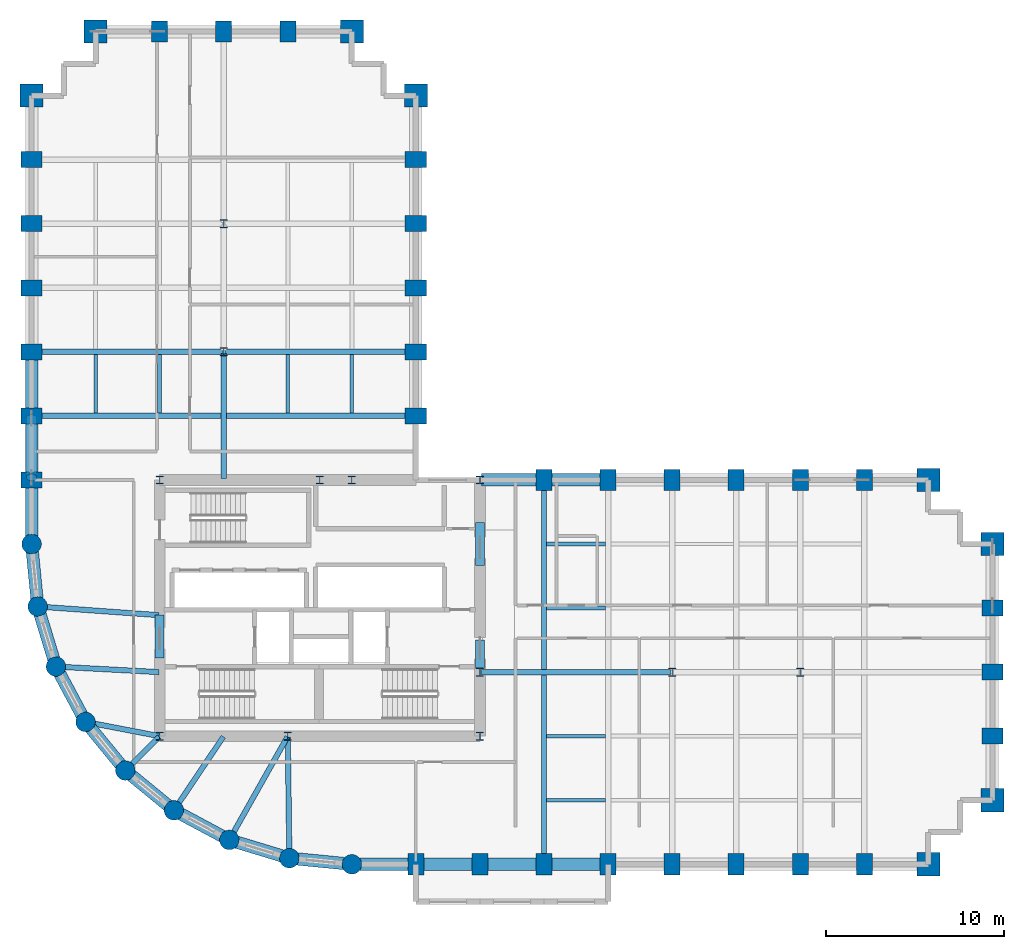
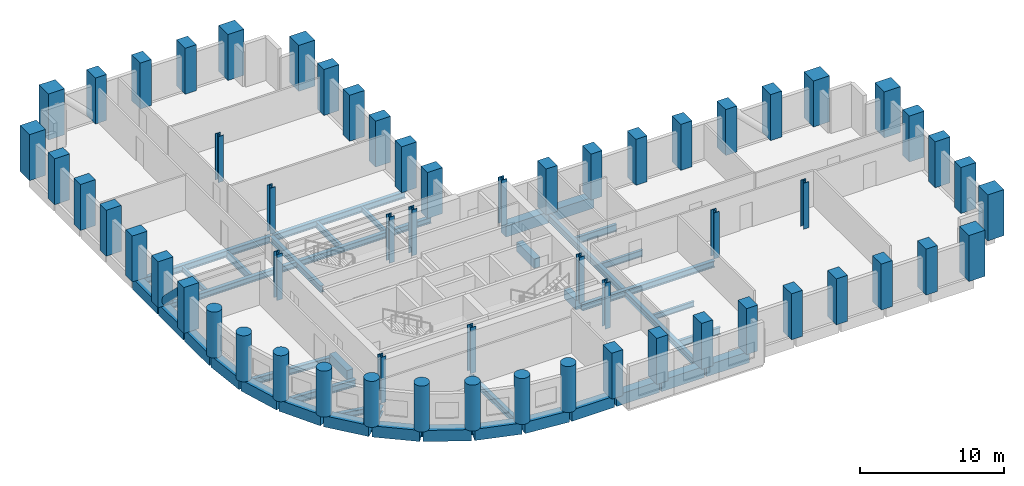
# One storey, part 1 of 9: 60 columns, 41 beams, 1 member.
"""IFC4 building model written with IfcOpenShell, lengths in metres."""

from ifc_helpers import new_model, si_unit, direction, frame, origin, origin_2d, place, context, subcontext, project, spatial, rectangle, circle, hollow_circle, i_section, extrude, material, material_profile, profile_set, type_object, element, save


model = new_model("IFC4")

# Units and contexts
model_context = context("Model", 3, precision=1e-05, world=origin(), true_north=direction((0.0, 1.0)))
body_context = subcontext(model_context, "Body", "Model", "MODEL_VIEW")
ifc_project = project(units=[si_unit("LENGTHUNIT", "METRE"), si_unit("AREAUNIT", "SQUARE_METRE"), si_unit("VOLUMEUNIT", "CUBIC_METRE"), si_unit("PLANEANGLEUNIT", "RADIAN"), si_unit("MASSUNIT", "GRAM", prefix="KILO")], contexts=[model_context])

# Site, building, storey
site_placement = place(None, origin())
site = spatial("IfcSite", under=ifc_project, at=site_placement, CompositionType="ELEMENT")
building_placement = place(site_placement, origin())
building = spatial("IfcBuilding", under=site, at=building_placement, Name="Solnavia Interchange Tower", CompositionType="ELEMENT")
storey_placement = place(building_placement, frame((0.0, 0.0, 59.10009765625)))
storey = spatial("IfcBuildingStorey", under=building, at=storey_placement, Name="L14", CompositionType="ELEMENT", Elevation=59.10009765625)

# Columns
ifc_material_1 = material(Name="Concrete C60/75", Category="concrete")
ifc_material_profile_1 = material_profile(ifc_material_1, rectangle(XDim=0.89990234375, YDim=1.199951171875, at=origin_2d()), Name="RC 1200x900")
ifc_profile_set_1 = profile_set([ifc_material_profile_1], Name="Concrete C60/75")
column_type_1 = type_object("IfcColumnType", Name="Col-RC-1200x900", PredefinedType="COLUMN", material=ifc_profile_set_1)
for number, where, z_axis, x_axis, name in (
    (1, (7.199951171875, 25.199951171875, 0.0), (0.0, 0.0, 1.0), (0.0, 1.0, 0.0), "COL-L14-02 Tower perim y column"),
    (2, (7.199951171875, 28.800048828125, 0.0), (0.0, 0.0, 1.0), (0.0, 1.0, 0.0), "COL-L14-03 Tower perim y column"),
    (3, (7.199951171875, 32.39990234375, 0.0), (0.0, 0.0, 1.0), (0.0, 1.0, 0.0), "COL-L14-04 Tower perim y column"),
    (4, (7.199951171875, 36.0, 0.0), (0.0, 0.0, 1.0), (0.0, 1.0, 0.0), "COL-L14-05 Tower perim y column"),
    (5, (7.199951171875, 39.60009765625, 0.0), (0.0, 0.0, 1.0), (0.0, 1.0, 0.0), "COL-L14-06 Tower perim y column"),
    (6, (7.199951171875, 43.199951171875, 0.0), (0.0, 0.0, 1.0), (0.0, 1.0, 0.0), "COL-L14-07 Tower perim y column"),
    (7, (14.39990234375, 50.39990234375, 0.0), (0.0, 0.0, 1.0), (1.0, 0.0, 0.0), "COL-L14-16 Tower perim x column"),
    (8, (18.0, 50.39990234375, 0.0), (0.0, 0.0, 1.0), (1.0, 0.0, 0.0), "COL-L14-20 Tower perim x column"),
    (9, (21.60009765625, 50.39990234375, 0.0), (0.0, 0.0, 1.0), (1.0, 0.0, 0.0), "COL-L14-23 Tower perim x column"),
    (10, (28.800048828125, 3.60009765625, 0.0), (0.0, 0.0, 1.0), (1.0, 0.0, 0.0), "COL-L14-29 Tower perim x column"),
    (11, (28.800048828125, 28.800048828125, 0.0), (0.0, 0.0, 1.0), (0.0, 1.0, 0.0), "COL-L14-30 Tower perim y column"),
    (12, (28.800048828125, 32.39990234375, 0.0), (0.0, 0.0, 1.0), (0.0, 1.0, 0.0), "COL-L14-31 Tower perim y column"),
    (13, (28.800048828125, 36.0, 0.0), (0.0, 0.0, 1.0), (0.0, 1.0, 0.0), "COL-L14-32 Tower perim y column"),
    (14, (28.800048828125, 39.60009765625, 0.0), (0.0, 0.0, 1.0), (0.0, 1.0, 0.0), "COL-L14-33 Tower perim y column"),
    (15, (28.800048828125, 43.199951171875, 0.0), (0.0, 0.0, 1.0), (0.0, 1.0, 0.0), "COL-L14-34 Tower perim y column"),
    (16, (32.39990234375, 3.60009765625, 0.0), (0.0, 0.0, 1.0), (1.0, 0.0, 0.0), "COL-L14-36 Tower perim x column"),
    (17, (36.0, 3.60009765625, 0.0), (0.0, 0.0, 1.0), (1.0, 0.0, 0.0), "COL-L14-40 Tower perim x column"),
    (18, (36.0, 25.199951171875, 0.0), (0.0, 0.0, 1.0), (1.0, 0.0, 0.0), "COL-L14-41 Tower perim x column"),
    (19, (39.60009765625, 3.60009765625, 0.0), (0.0, 0.0, 1.0), (1.0, 0.0, 0.0), "COL-L14-42 Tower perim x column"),
    (20, (39.60009765625, 25.199951171875, 0.0), (0.0, 0.0, 1.0), (1.0, 0.0, 0.0), "COL-L14-43 Tower perim x column"),
    (21, (43.199951171875, 3.60009765625, 0.0), (0.0, 0.0, 1.0), (1.0, 0.0, 0.0), "COL-L14-44 Tower perim x column"),
    (22, (43.199951171875, 25.199951171875, 0.0), (0.0, 0.0, 1.0), (1.0, 0.0, 0.0), "COL-L14-46 Tower perim x column"),
    (23, (46.800048828125, 3.60009765625, 0.0), (0.0, 0.0, 1.0), (1.0, 0.0, 0.0), "COL-L14-47 Tower perim x column"),
    (24, (46.800048828125, 25.199951171875, 0.0), (0.0, 0.0, 1.0), (1.0, 0.0, 0.0), "COL-L14-48 Tower perim x column"),
    (25, (50.39990234375, 3.60009765625, 0.0), (0.0, 0.0, 1.0), (1.0, 0.0, 0.0), "COL-L14-49 Tower perim x column"),
    (26, (50.39990234375, 25.199951171875, 0.0), (0.0, 0.0, 1.0), (1.0, 0.0, 0.0), "COL-L14-51 Tower perim x column"),
    (27, (54.0, 3.60009765625, 0.0), (0.0, 0.0, 1.0), (1.0, 0.0, 0.0), "COL-L14-52 Tower perim x column"),
    (28, (54.0, 25.199951171875, 0.0), (0.0, 0.0, 1.0), (1.0, 0.0, 0.0), "COL-L14-53 Tower perim x column"),
    (29, (61.199951171875, 10.800048828125, 0.0), (0.0, 0.0, 1.0), (0.0, 1.0, 0.0), "COL-L14-57 Tower perim y column"),
    (30, (61.199951171875, 14.39990234375, 0.0), (0.0, 0.0, 1.0), (0.0, 1.0, 0.0), "COL-L14-58 Tower perim y column"),
    (31, (61.199951171875, 18.0, 0.0), (0.0, 0.0, 1.0), (0.0, 1.0, 0.0), "COL-L14-59 Tower perim y column"),
):
    element("IfcColumn", number, at=place(storey_placement, frame(where, z_axis=z_axis, x_axis=x_axis)), inside=storey, type_object=column_type_1, Name=name, PredefinedType="COLUMN", context=body_context, shape_type="SweptSolid", body=[
        extrude(rectangle(XDim=0.89990234375, YDim=1.199951171875, at=origin_2d()), origin(), (0.0, 0.0, 1.0), 3.89990234375),
    ])
ifc_material_profile_2 = material_profile(ifc_material_1, rectangle(XDim=1.300048828125, YDim=1.300048828125, at=origin_2d()), Name="RC 1300x1300")
ifc_profile_set_2 = profile_set([ifc_material_profile_2], Name="Concrete C60/75")
column_type_2 = type_object("IfcColumnType", Name="Col-RC-1300x1300", PredefinedType="COLUMN", material=ifc_profile_set_2)
for number, where, z_axis, x_axis, name in (
    (32, (7.199951171875, 46.800048828125, 0.0), (0.0, 0.0, 1.0), (0.0, 1.0, 0.0), "COL-L14-08 Tower corner column"),
    (33, (10.800048828125, 50.39990234375, 0.0), (0.0, 0.0, 1.0), (1.0, 0.0, 0.0), "COL-L14-12 Tower corner column"),
    (34, (25.199951171875, 50.39990234375, 0.0), (0.0, 0.0, 1.0), (1.0, 0.0, 0.0), "COL-L14-28 Tower corner column"),
    (35, (28.800048828125, 46.800048828125, 0.0), (0.0, 0.0, 1.0), (0.0, 1.0, 0.0), "COL-L14-35 Tower corner column"),
    (36, (57.60009765625, 3.60009765625, 0.0), (0.0, 0.0, 1.0), (1.0, 0.0, 0.0), "COL-L14-54 Tower corner column"),
    (37, (57.60009765625, 25.199951171875, 0.0), (0.0, 0.0, 1.0), (1.0, 0.0, 0.0), "COL-L14-55 Tower corner column"),
    (38, (61.199951171875, 7.199951171875, 0.0), (0.0, 0.0, 1.0), (1.0, 0.0, 0.0), "COL-L14-56 Tower corner column"),
    (39, (61.199951171875, 21.60009765625, 0.0), (0.0, 0.0, 1.0), (0.0, 1.0, 0.0), "COL-L14-60 Tower corner column"),
):
    element("IfcColumn", number, at=place(storey_placement, frame(where, z_axis=z_axis, x_axis=x_axis)), inside=storey, type_object=column_type_2, Name=name, PredefinedType="COLUMN", context=body_context, shape_type="SweptSolid", body=[
        extrude(rectangle(XDim=1.300048828125, YDim=1.300048828125, at=origin_2d()), origin(), (0.0, 0.0, 1.0), 3.89990234375),
    ])
ifc_material_profile_3 = material_profile(ifc_material_1, circle(Radius=0.550048828125, at=origin_2d()), Name="RC D1100")
ifc_profile_set_3 = profile_set([ifc_material_profile_3], Name="Concrete C60/75")
column_type_3 = type_object("IfcColumnType", Name="Col-RC-D1100", PredefinedType="COLUMN", material=ifc_profile_set_3)
for number, where, z_axis, x_axis, name in (
    (40, (7.199951171875, 21.60009765625, 0.0), (0.0, 0.0, 1.0), (1.0, 0.0, 0.0), "COL-L14-01 Tower drum column"),
    (41, (7.5458984375, 18.087890625, 0.0), (0.0, 0.0, 1.0), (1.0, 0.0, 0.0), "COL-L14-09 Tower drum column"),
    (42, (8.570068359375, 14.7119140625, 0.0), (0.0, 0.0, 1.0), (1.0, 0.0, 0.0), "COL-L14-10 Tower drum column"),
    (43, (10.23388671875, 11.60009765625, 0.0), (0.0, 0.0, 1.0), (1.0, 0.0, 0.0), "COL-L14-11 Tower drum column"),
    (44, (12.471923828125, 8.8720703125, 0.0), (0.0, 0.0, 1.0), (1.0, 0.0, 0.0), "COL-L14-13 Tower drum column"),
    (45, (15.199951171875, 6.634033203125, 0.0), (0.0, 0.0, 1.0), (1.0, 0.0, 0.0), "COL-L14-17 Tower drum column"),
    (46, (18.31201171875, 4.969970703125, 0.0), (0.0, 0.0, 1.0), (1.0, 0.0, 0.0), "COL-L14-21 Tower drum column"),
    (47, (21.68798828125, 3.946044921875, 0.0), (0.0, 0.0, 1.0), (1.0, 0.0, 0.0), "COL-L14-24 Tower drum column"),
    (48, (25.199951171875, 3.60009765625, 0.0), (0.0, 0.0, 1.0), (1.0, 0.0, 0.0), "COL-L14-26 Tower drum column"),
):
    element("IfcColumn", number, at=place(storey_placement, frame(where, z_axis=z_axis, x_axis=x_axis)), inside=storey, type_object=column_type_3, Name=name, PredefinedType="COLUMN", context=body_context, shape_type="SweptSolid", body=[
        extrude(circle(Radius=0.550048828125, at=origin_2d()), origin(), (0.0, 0.0, 1.0), 3.89990234375),
    ])
ifc_material_2 = material(Name="Steel S355", Category="steel")
ifc_material_profile_4 = material_profile(ifc_material_2, i_section(OverallWidth=0.424072265625, OverallDepth=0.467041015625, WebThickness=0.032958984375, FlangeThickness=0.053466796875, FilletRadius=0.014892578125, at=origin_2d()), Name="HD 400x509")
ifc_profile_set_4 = profile_set([ifc_material_profile_4], Name="Steel S355")
column_type_4 = type_object("IfcColumnType", Name="Col-Steel-HD400x509", PredefinedType="COLUMN", material=ifc_profile_set_4)
for number, where, z_axis, x_axis, name in (
    (49, (14.39990234375, 10.800048828125, 0.0), (0.0, 0.0, 1.0), (1.0, 0.0, 0.0), "COL-L14-14 Tower interior column"),
    (50, (14.39990234375, 25.199951171875, 0.0), (0.0, 0.0, 1.0), (1.0, 0.0, 0.0), "COL-L14-15 Tower interior column"),
    (51, (18.0, 32.39990234375, 0.0), (0.0, 0.0, 1.0), (1.0, 0.0, 0.0), "COL-L14-18 Tower interior column"),
    (52, (18.0, 39.60009765625, 0.0), (0.0, 0.0, 1.0), (1.0, 0.0, 0.0), "COL-L14-19 Tower interior column"),
    (53, (21.60009765625, 10.800048828125, 0.0), (0.0, 0.0, 1.0), (1.0, 0.0, 0.0), "COL-L14-22 Tower interior column"),
    (54, (23.39990234375, 25.199951171875, 0.0), (0.0, 0.0, 1.0), (1.0, 0.0, 0.0), "COL-L14-25 Tower interior column"),
    (55, (25.199951171875, 25.199951171875, 0.0), (0.0, 0.0, 1.0), (1.0, 0.0, 0.0), "COL-L14-27 Tower interior column"),
    (56, (32.39990234375, 10.800048828125, 0.0), (0.0, 0.0, 1.0), (1.0, 0.0, 0.0), "COL-L14-37 Tower interior column"),
    (57, (32.39990234375, 14.39990234375, 0.0), (0.0, 0.0, 1.0), (1.0, 0.0, 0.0), "COL-L14-38 Tower interior column"),
    (58, (32.39990234375, 25.199951171875, 0.0), (0.0, 0.0, 1.0), (1.0, 0.0, 0.0), "COL-L14-39 Tower interior column"),
    (59, (43.199951171875, 14.39990234375, 0.0), (0.0, 0.0, 1.0), (1.0, 0.0, 0.0), "COL-L14-45 Tower interior column"),
    (60, (50.39990234375, 14.39990234375, 0.0), (0.0, 0.0, 1.0), (1.0, 0.0, 0.0), "COL-L14-50 Tower interior column"),
):
    element("IfcColumn", number, at=place(storey_placement, frame(where, z_axis=z_axis, x_axis=x_axis)), inside=storey, type_object=column_type_4, Name=name, PredefinedType="COLUMN", context=body_context, shape_type="SweptSolid", body=[
        extrude(i_section(OverallWidth=0.424072265625, OverallDepth=0.467041015625, WebThickness=0.032958984375, FlangeThickness=0.053466796875, FilletRadius=0.014892578125, at=origin_2d()), origin(), (0.0, 0.0, 1.0), 3.89990234375),
    ])

# Beams
ifc_material_3 = material(Name="Concrete C50/60", Category="concrete")
ifc_material_profile_5 = material_profile(ifc_material_3, rectangle(XDim=0.5, YDim=0.800048828125, at=origin_2d()), Name="RC 500x800")
ifc_profile_set_5 = profile_set([ifc_material_profile_5], Name="Concrete C50/60")
beam_type_1 = type_object("IfcBeamType", Name="Beam-Coupling-RC500x800", PredefinedType="LINTEL", material=ifc_profile_set_5)
beam_1_placement = place(storey_placement, frame((14.39990234375, 15.199951171875, -0.400146484375), z_axis=(0.0, 1.0, 0.0), x_axis=(-1.0, 0.0, 0.0)))
element("IfcBeam", 61, at=beam_1_placement, inside=storey, type_object=beam_type_1, Name="CPB-L14-W1 Core coupling lintel beam", PredefinedType="LINTEL", context=body_context, shape_type="SweptSolid", body=[
    extrude(rectangle(XDim=0.5, YDim=0.800048828125, at=origin_2d()), origin(), (0.0, 0.0, 1.0), 2.400146484375),
])
beam_2_placement = place(storey_placement, frame((32.39990234375, 14.60009765625, -0.400146484375), z_axis=(0.0, 1.0, 0.0), x_axis=(-1.0, 0.0, 0.0)))
element("IfcBeam", 62, at=beam_2_placement, inside=storey, type_object=beam_type_1, Name="CPB-L14-E1 Core coupling lintel beam", PredefinedType="LINTEL", context=body_context, shape_type="SweptSolid", body=[
    extrude(rectangle(XDim=0.5, YDim=0.800048828125, at=origin_2d()), origin(), (0.0, 0.0, 1.0), 1.599853515625),
])
beam_3_placement = place(storey_placement, frame((32.39990234375, 20.39990234375, -0.400146484375), z_axis=(0.0, 1.0, 0.0), x_axis=(-1.0, 0.0, 0.0)))
element("IfcBeam", 63, at=beam_3_placement, inside=storey, type_object=beam_type_1, Name="CPB-L14-E2 Core coupling lintel beam", PredefinedType="LINTEL", context=body_context, shape_type="SweptSolid", body=[
    extrude(rectangle(XDim=0.5, YDim=0.800048828125, at=origin_2d()), origin(), (0.0, 0.0, 1.0), 2.400146484375),
])
ifc_material_4 = material(Name="Steel S460", Category="steel")
ifc_material_profile_6 = material_profile(ifc_material_4, i_section(OverallWidth=0.300048828125, OverallDepth=0.550048828125, WebThickness=0.014892578125, FlangeThickness=0.029052734375, FilletRadius=0.027099609375, at=origin_2d()), Name="HEB 550")
ifc_profile_set_6 = profile_set([ifc_material_profile_6], Name="Steel S460")
beam_type_2 = type_object("IfcBeamType", Name="Beam-Girder-HEB550", PredefinedType="BEAM", material=ifc_profile_set_6)
beam_4_placement = place(storey_placement, frame((32.47998046875, 14.39990234375, -0.525146484375), z_axis=(1.0, 0.0, 0.0), x_axis=(0.0, 1.0, 0.0)))
element("IfcBeam", 64, at=beam_4_placement, inside=storey, type_object=beam_type_2, Name="GRD-L14-ES01 East wing spine girder", PredefinedType="BEAM", context=body_context, shape_type="SweptSolid", body=[
    extrude(i_section(OverallWidth=0.300048828125, OverallDepth=0.550048828125, WebThickness=0.014892578125, FlangeThickness=0.029052734375, FilletRadius=0.027099609375, at=origin_2d()), origin(), (0.0, 0.0, 1.0), 10.64013671875),
])
beam_5_placement = place(storey_placement, frame((36.0, 3.679931640625, -0.525146484375), z_axis=(0.0, 1.0, 0.0), x_axis=(-1.0, 0.0, 0.0)))
element("IfcBeam", 65, at=beam_5_placement, inside=storey, type_object=beam_type_2, Name="GRD-L14-EW04 East wing primary floor girder", PredefinedType="BEAM", context=body_context, shape_type="SweptSolid", body=[
    extrude(i_section(OverallWidth=0.300048828125, OverallDepth=0.550048828125, WebThickness=0.014892578125, FlangeThickness=0.029052734375, FilletRadius=0.027099609375, at=origin_2d()), origin(), (0.0, 0.0, 1.0), 21.440185546875),
])
beam_6_placement = place(storey_placement, frame((18.0, 25.280029296875, -0.525146484375), z_axis=(0.0, 1.0, 0.0), x_axis=(-1.0, 0.0, 0.0)))
element("IfcBeam", 66, at=beam_6_placement, inside=storey, type_object=beam_type_2, Name="GRD-L14-NS12 North wing spine girder", PredefinedType="BEAM", context=body_context, shape_type="SweptSolid", body=[
    extrude(i_section(OverallWidth=0.300048828125, OverallDepth=0.550048828125, WebThickness=0.014892578125, FlangeThickness=0.029052734375, FilletRadius=0.027099609375, at=origin_2d()), origin(), (0.0, 0.0, 1.0), 7.0400390625),
])
for number, where, z_axis, x_axis, name in (
    (67, (7.280029296875, 32.39990234375, -0.525146484375), (1.0, 0.0, 0.0), (0.0, 1.0, 0.0), "GRD-L14-NW16 North wing primary floor girder"),
    (68, (18.080078125, 32.39990234375, -0.525146484375), (1.0, 0.0, 0.0), (0.0, 1.0, 0.0), "GRD-L14-NW17 North wing primary floor girder"),
):
    element("IfcBeam", number, at=place(storey_placement, frame(where, z_axis=z_axis, x_axis=x_axis)), inside=storey, type_object=beam_type_2, Name=name, PredefinedType="BEAM", context=body_context, shape_type="SweptSolid", body=[
        extrude(i_section(OverallWidth=0.300048828125, OverallDepth=0.550048828125, WebThickness=0.014892578125, FlangeThickness=0.029052734375, FilletRadius=0.027099609375, at=origin_2d()), origin(), (0.0, 0.0, 1.0), 10.639892578125),
    ])
beam_7_placement = place(storey_placement, frame((7.625732421875, 18.082275390625, -0.525146484375), z_axis=(0.99747482749, -0.071020902015, 0.0), x_axis=(0.071020902015, 0.99747482749, 0.0)))
element("IfcBeam", 69, at=beam_7_placement, inside=storey, type_object=beam_type_2, Name="GRD-L14-DR22 Drum radial floor girder", PredefinedType="BEAM", context=body_context, shape_type="SweptSolid", body=[
    extrude(i_section(OverallWidth=0.300048828125, OverallDepth=0.550048828125, WebThickness=0.014892578125, FlangeThickness=0.029052734375, FilletRadius=0.027099609375, at=origin_2d()), origin(), (0.0, 0.0, 1.0), 6.75146484375),
])
beam_8_placement = place(storey_placement, frame((12.528564453125, 8.9287109375, -0.525146484375), z_axis=(0.707106781187, 0.707106781187, 0.0), x_axis=(-0.707106781187, 0.707106781187, 0.0)))
element("IfcBeam", 70, at=beam_8_placement, inside=storey, type_object=beam_type_2, Name="GRD-L14-DR25 Drum radial floor girder", PredefinedType="BEAM", context=body_context, shape_type="SweptSolid", body=[
    extrude(i_section(OverallWidth=0.300048828125, OverallDepth=0.550048828125, WebThickness=0.014892578125, FlangeThickness=0.029052734375, FilletRadius=0.027099609375, at=origin_2d()), origin(), (0.0, 0.0, 1.0), 2.6064453125),
])
beam_9_placement = place(storey_placement, frame((21.68701171875, 4.02587890625, -0.525146484375), z_axis=(-0.01283293513, 0.999917654498, 0.0), x_axis=(-0.999917654498, -0.01283293513, 0.0)))
element("IfcBeam", 71, at=beam_9_placement, inside=storey, type_object=beam_type_2, Name="GRD-L14-DR28 Drum radial floor girder", PredefinedType="BEAM", context=body_context, shape_type="SweptSolid", body=[
    extrude(i_section(OverallWidth=0.300048828125, OverallDepth=0.550048828125, WebThickness=0.014892578125, FlangeThickness=0.029052734375, FilletRadius=0.027099609375, at=origin_2d()), origin(), (0.0, 0.0, 1.0), 6.734619140625),
])
ifc_material_profile_7 = material_profile(ifc_material_2, i_section(OverallWidth=0.18994140625, OverallDepth=0.449951171875, WebThickness=0.009521484375, FlangeThickness=0.0146484375, FilletRadius=0.02099609375, at=origin_2d()), Name="IPE 450")
ifc_profile_set_7 = profile_set([ifc_material_profile_7], Name="Steel S355")
beam_type_3 = type_object("IfcBeamType", Name="Beam-Joist-IPE450", PredefinedType="JOIST", material=ifc_profile_set_7)
for number, where, z_axis, x_axis, name in (
    (72, (36.14990234375, 10.800048828125, -0.47509765625), (1.0, 0.0, 0.0), (0.0, 1.0, 0.0), "JST-L14-E06 East wing secondary joist"),
    (73, (10.800048828125, 28.949951171875, -0.47509765625), (0.0, 1.0, 0.0), (-1.0, 0.0, 0.0), "JST-L14-N21 North wing secondary joist"),
    (74, (25.199951171875, 28.949951171875, -0.47509765625), (0.0, 1.0, 0.0), (-1.0, 0.0, 0.0), "JST-L14-N33 North wing secondary joist"),
):
    element("IfcBeam", number, at=place(storey_placement, frame(where, z_axis=z_axis, x_axis=x_axis)), inside=storey, type_object=beam_type_3, Name=name, PredefinedType="JOIST", context=body_context, shape_type="SweptSolid", body=[
        extrude(i_section(OverallWidth=0.18994140625, OverallDepth=0.449951171875, WebThickness=0.009521484375, FlangeThickness=0.0146484375, FilletRadius=0.02099609375, at=origin_2d()), origin(), (0.0, 0.0, 1.0), 3.300048828125),
    ])
ifc_material_profile_8 = material_profile(ifc_material_2, i_section(OverallWidth=0.2099609375, OverallDepth=0.550048828125, WebThickness=0.010986328125, FlangeThickness=0.01708984375, FilletRadius=0.02392578125, at=origin_2d()), Name="IPE 550")
ifc_profile_set_8 = profile_set([ifc_material_profile_8], Name="Steel S355")
beam_type_4 = type_object("IfcBeamType", Name="Beam-Joist-IPE550", PredefinedType="JOIST", material=ifc_profile_set_8)
for number, where, z_axis, x_axis, name in (
    (75, (36.14990234375, 18.0, -0.525146484375), (1.0, 0.0, 0.0), (0.0, 1.0, 0.0), "JST-L14-E11 East wing secondary joist"),
    (76, (21.60009765625, 28.949951171875, -0.525146484375), (0.0, 1.0, 0.0), (-1.0, 0.0, 0.0), "JST-L14-N29 North wing secondary joist"),
):
    element("IfcBeam", number, at=place(storey_placement, frame(where, z_axis=z_axis, x_axis=x_axis)), inside=storey, type_object=beam_type_4, Name=name, PredefinedType="JOIST", context=body_context, shape_type="SweptSolid", body=[
        extrude(i_section(OverallWidth=0.2099609375, OverallDepth=0.550048828125, WebThickness=0.010986328125, FlangeThickness=0.01708984375, FilletRadius=0.02392578125, at=origin_2d()), origin(), (0.0, 0.0, 1.0), 3.300048828125),
    ])
ifc_material_profile_9 = material_profile(ifc_material_2, i_section(OverallWidth=0.219970703125, OverallDepth=0.60009765625, WebThickness=0.011962890625, FlangeThickness=0.01904296875, FilletRadius=0.02392578125, at=origin_2d()), Name="IPE 600")
ifc_profile_set_9 = profile_set([ifc_material_profile_9], Name="Steel S355")
beam_type_5 = type_object("IfcBeamType", Name="Beam-Joist-IPE600", PredefinedType="JOIST", material=ifc_profile_set_9)
for number, where, z_axis, x_axis, name in (
    (77, (36.14990234375, 7.199951171875, -0.550048828125), (1.0, 0.0, 0.0), (0.0, 1.0, 0.0), "JST-L14-E01 East wing secondary joist"),
    (78, (36.14990234375, 21.60009765625, -0.550048828125), (1.0, 0.0, 0.0), (0.0, 1.0, 0.0), "JST-L14-E16 East wing secondary joist"),
    (79, (14.39990234375, 28.949951171875, -0.550048828125), (0.0, 1.0, 0.0), (-1.0, 0.0, 0.0), "JST-L14-N25 North wing secondary joist"),
):
    element("IfcBeam", number, at=place(storey_placement, frame(where, z_axis=z_axis, x_axis=x_axis)), inside=storey, type_object=beam_type_5, Name=name, PredefinedType="JOIST", context=body_context, shape_type="SweptSolid", body=[
        extrude(i_section(OverallWidth=0.219970703125, OverallDepth=0.60009765625, WebThickness=0.011962890625, FlangeThickness=0.01904296875, FilletRadius=0.02392578125, at=origin_2d()), origin(), (0.0, 0.0, 1.0), 3.300048828125),
    ])
ifc_material_profile_10 = material_profile(ifc_material_2, i_section(OverallWidth=0.300048828125, OverallDepth=0.489990234375, WebThickness=0.011962890625, FlangeThickness=0.02294921875, FilletRadius=0.027099609375, at=origin_2d()), Name="HEA 500")
ifc_profile_set_10 = profile_set([ifc_material_profile_10], Name="Steel S355")
beam_type_6 = type_object("IfcBeamType", Name="Beam-Primary-HEA500", PredefinedType="BEAM", material=ifc_profile_set_10)
beam_10_placement = place(storey_placement, frame((7.280029296875, 28.800048828125, -0.4951171875), z_axis=(1.0, 0.0, 0.0), x_axis=(0.0, 1.0, 0.0)))
element("IfcBeam", 80, at=beam_10_placement, inside=storey, type_object=beam_type_6, Name="GRD-L14-NW15 North wing primary floor girder", PredefinedType="BEAM", context=body_context, shape_type="SweptSolid", body=[
    extrude(i_section(OverallWidth=0.300048828125, OverallDepth=0.489990234375, WebThickness=0.011962890625, FlangeThickness=0.02294921875, FilletRadius=0.027099609375, at=origin_2d()), origin(), (0.0, 0.0, 1.0), 21.43994140625),
])
beam_11_placement = place(storey_placement, frame((10.3125, 11.5849609375, -0.4951171875), z_axis=(0.982057527796, -0.188581579428, 0.0), x_axis=(0.188581579428, 0.982057527796, 0.0)))
element("IfcBeam", 81, at=beam_11_placement, inside=storey, type_object=beam_type_6, Name="GRD-L14-DR24 Drum radial floor girder", PredefinedType="BEAM", context=body_context, shape_type="SweptSolid", body=[
    extrude(i_section(OverallWidth=0.300048828125, OverallDepth=0.489990234375, WebThickness=0.011962890625, FlangeThickness=0.02294921875, FilletRadius=0.027099609375, at=origin_2d()), origin(), (0.0, 0.0, 1.0), 4.1220703125),
])
beam_12_placement = place(storey_placement, frame((18.351318359375, 5.039794921875, -0.4951171875), z_axis=(0.491243158486, 0.871022479182, 0.0), x_axis=(-0.871022479182, 0.491243158486, 0.0)))
element("IfcBeam", 82, at=beam_12_placement, inside=storey, type_object=beam_type_6, Name="GRD-L14-DR27 Drum radial floor girder", PredefinedType="BEAM", context=body_context, shape_type="SweptSolid", body=[
    extrude(i_section(OverallWidth=0.300048828125, OverallDepth=0.489990234375, WebThickness=0.011962890625, FlangeThickness=0.02294921875, FilletRadius=0.027099609375, at=origin_2d()), origin(), (0.0, 0.0, 1.0), 6.5732421875),
])
ifc_material_profile_11 = material_profile(ifc_material_2, i_section(OverallWidth=0.300048828125, OverallDepth=0.590087890625, WebThickness=0.012939453125, FlangeThickness=0.02490234375, FilletRadius=0.027099609375, at=origin_2d()), Name="HEA 600")
ifc_profile_set_11 = profile_set([ifc_material_profile_11], Name="Steel S355")
beam_type_7 = type_object("IfcBeamType", Name="Beam-Primary-HEA600", PredefinedType="BEAM", material=ifc_profile_set_11)
beam_13_placement = place(storey_placement, frame((8.64990234375, 14.707763671875, -0.545166015625), z_axis=(0.998570371303, -0.053452909696, 0.0), x_axis=(0.053452909696, 0.998570371303, 0.0)))
element("IfcBeam", 83, at=beam_13_placement, inside=storey, type_object=beam_type_7, Name="GRD-L14-DR23 Drum radial floor girder", PredefinedType="BEAM", context=body_context, shape_type="SweptSolid", body=[
    extrude(i_section(OverallWidth=0.300048828125, OverallDepth=0.590087890625, WebThickness=0.012939453125, FlangeThickness=0.02490234375, FilletRadius=0.027099609375, at=origin_2d()), origin(), (0.0, 0.0, 1.0), 5.71826171875),
])
beam_14_placement = place(storey_placement, frame((15.24462890625, 6.700439453125, -0.545166015625), z_axis=(0.557835474219, 0.829951555033, 0.0), x_axis=(-0.829951555033, 0.557835474219, 0.0)))
element("IfcBeam", 84, at=beam_14_placement, inside=storey, type_object=beam_type_7, Name="GRD-L14-DR26 Drum radial floor girder", PredefinedType="BEAM", context=body_context, shape_type="SweptSolid", body=[
    extrude(i_section(OverallWidth=0.300048828125, OverallDepth=0.590087890625, WebThickness=0.012939453125, FlangeThickness=0.02490234375, FilletRadius=0.027099609375, at=origin_2d()), origin(), (0.0, 0.0, 1.0), 4.899658203125),
])
ifc_material_profile_12 = material_profile(ifc_material_3, rectangle(XDim=0.699951171875, YDim=0.949951171875, at=origin_2d()), Name="RC 700x950")
ifc_profile_set_12 = profile_set([ifc_material_profile_12], Name="Concrete C50/60")
beam_type_8 = type_object("IfcBeamType", Name="Beam-Spandrel-RC700x950", PredefinedType="SPANDREL", material=ifc_profile_set_12)
beam_15_placement = place(storey_placement, frame((7.207763671875, 21.5205078125, -0.47509765625), z_axis=(0.098040038117, -0.995182471171, 0.0), x_axis=(0.995182471171, 0.098040038117, 0.0)))
element("IfcBeam", 85, at=beam_15_placement, inside=storey, type_object=beam_type_8, Name="SPB-L14-01 Framed-tube perimeter spandrel beam", PredefinedType="SPANDREL", context=body_context, shape_type="SweptSolid", body=[
    extrude(rectangle(XDim=0.699951171875, YDim=0.949951171875, at=origin_2d()), origin(), (0.0, 0.0, 1.0), 3.369140625),
])
beam_16_placement = place(storey_placement, frame((7.569091796875, 18.011474609375, -0.47509765625), z_axis=(0.290319223646, -0.956929855518, 0.0), x_axis=(0.956929855518, 0.290319223646, 0.0)))
element("IfcBeam", 86, at=beam_16_placement, inside=storey, type_object=beam_type_8, Name="SPB-L14-02 Framed-tube perimeter spandrel beam", PredefinedType="SPANDREL", context=body_context, shape_type="SweptSolid", body=[
    extrude(rectangle(XDim=0.699951171875, YDim=0.949951171875, at=origin_2d()), origin(), (0.0, 0.0, 1.0), 3.367919921875),
])
beam_17_placement = place(storey_placement, frame((8.607666015625, 14.6416015625, -0.47509765625), z_axis=(0.471509422952, -0.881861023102, 0.0), x_axis=(0.881861023102, 0.471509422952, 0.0)))
element("IfcBeam", 87, at=beam_17_placement, inside=storey, type_object=beam_type_8, Name="SPB-L14-03 Framed-tube perimeter spandrel beam", PredefinedType="SPANDREL", context=body_context, shape_type="SweptSolid", body=[
    extrude(rectangle(XDim=0.699951171875, YDim=0.949951171875, at=origin_2d()), origin(), (0.0, 0.0, 1.0), 3.369140625),
])
for number, where, z_axis, x_axis, name in (
    (88, (10.28466796875, 11.5380859375, -0.47509765625), (0.634298841675, -0.773087950656, 0.0), (0.773087950656, 0.634298841675, 0.0), "SPB-L14-04 Framed-tube perimeter spandrel beam"),
    (89, (12.53369140625, 8.8212890625, -0.47509765625), (0.773152644452, -0.634219984214, 0.0), (0.634219984214, 0.773152644452, 0.0), "SPB-L14-05 Framed-tube perimeter spandrel beam"),
):
    element("IfcBeam", number, at=place(storey_placement, frame(where, z_axis=z_axis, x_axis=x_axis)), inside=storey, type_object=beam_type_8, Name=name, PredefinedType="SPANDREL", context=body_context, shape_type="SweptSolid", body=[
        extrude(rectangle(XDim=0.699951171875, YDim=0.949951171875, at=origin_2d()), origin(), (0.0, 0.0, 1.0), 3.36865234375),
    ])
beam_18_placement = place(storey_placement, frame((15.2705078125, 6.59619140625, -0.47509765625), z_axis=(0.881875044348, -0.47148319817, 0.0), x_axis=(0.47148319817, 0.881875044348, 0.0)))
element("IfcBeam", 90, at=beam_18_placement, inside=storey, type_object=beam_type_8, Name="SPB-L14-06 Framed-tube perimeter spandrel beam", PredefinedType="SPANDREL", context=body_context, shape_type="SweptSolid", body=[
    extrude(rectangle(XDim=0.699951171875, YDim=0.949951171875, at=origin_2d()), origin(), (0.0, 0.0, 1.0), 3.368896484375),
])
beam_19_placement = place(storey_placement, frame((18.388671875, 4.94677734375, -0.47509765625), z_axis=(0.956943884494, -0.290272978297, 0.0), x_axis=(0.290272978297, 0.956943884494, 0.0)))
element("IfcBeam", 91, at=beam_19_placement, inside=storey, type_object=beam_type_8, Name="SPB-L14-07 Framed-tube perimeter spandrel beam", PredefinedType="SPANDREL", context=body_context, shape_type="SweptSolid", body=[
    extrude(rectangle(XDim=0.699951171875, YDim=0.949951171875, at=origin_2d()), origin(), (0.0, 0.0, 1.0), 3.36767578125),
])
beam_20_placement = place(storey_placement, frame((21.767578125, 3.938232421875, -0.47509765625), z_axis=(0.995181774609, -0.098047108501, 0.0), x_axis=(0.098047108501, 0.995181774609, 0.0)))
element("IfcBeam", 92, at=beam_20_placement, inside=storey, type_object=beam_type_8, Name="SPB-L14-08 Framed-tube perimeter spandrel beam", PredefinedType="SPANDREL", context=body_context, shape_type="SweptSolid", body=[
    extrude(rectangle(XDim=0.699951171875, YDim=0.949951171875, at=origin_2d()), origin(), (0.0, 0.0, 1.0), 3.368896484375),
])
beam_21_placement = place(storey_placement, frame((25.280029296875, 3.60009765625, -0.47509765625), z_axis=(1.0, 0.0, 0.0), x_axis=(0.0, 1.0, 0.0)))
element("IfcBeam", 93, at=beam_21_placement, inside=storey, type_object=beam_type_8, Name="SPB-L14-09 Framed-tube perimeter spandrel beam", PredefinedType="SPANDREL", context=body_context, shape_type="SweptSolid", body=[
    extrude(rectangle(XDim=0.699951171875, YDim=0.949951171875, at=origin_2d()), origin(), (0.0, 0.0, 1.0), 3.43994140625),
])
beam_22_placement = place(storey_placement, frame((28.8798828125, 3.60009765625, -0.47509765625), z_axis=(1.0, 0.0, 0.0), x_axis=(0.0, 1.0, 0.0)))
element("IfcBeam", 94, at=beam_22_placement, inside=storey, type_object=beam_type_8, Name="SPB-L14-10 Framed-tube perimeter spandrel beam", PredefinedType="SPANDREL", context=body_context, shape_type="SweptSolid", body=[
    extrude(rectangle(XDim=0.699951171875, YDim=0.949951171875, at=origin_2d()), origin(), (0.0, 0.0, 1.0), 3.440185546875),
])
for number, where, z_axis, x_axis, name in (
    (95, (32.47998046875, 3.60009765625, -0.47509765625), (1.0, 0.0, 0.0), (0.0, 1.0, 0.0), "SPB-L14-11 Framed-tube perimeter spandrel beam"),
    (96, (36.080078125, 3.60009765625, -0.47509765625), (1.0, 0.0, 0.0), (0.0, 1.0, 0.0), "SPB-L14-12 Framed-tube perimeter spandrel beam"),
    (97, (39.52001953125, 25.199951171875, -0.47509765625), (-1.0, 0.0, 0.0), (0.0, -1.0, 0.0), "SPB-L14-27 Framed-tube perimeter spandrel beam"),
    (98, (35.919921875, 25.199951171875, -0.47509765625), (-1.0, 0.0, 0.0), (0.0, -1.0, 0.0), "SPB-L14-28 Framed-tube perimeter spandrel beam"),
):
    element("IfcBeam", number, at=place(storey_placement, frame(where, z_axis=z_axis, x_axis=x_axis)), inside=storey, type_object=beam_type_8, Name=name, PredefinedType="SPANDREL", context=body_context, shape_type="SweptSolid", body=[
        extrude(rectangle(XDim=0.699951171875, YDim=0.949951171875, at=origin_2d()), origin(), (0.0, 0.0, 1.0), 3.43994140625),
    ])
beam_23_placement = place(storey_placement, frame((7.199951171875, 32.320068359375, -0.47509765625), z_axis=(0.0, -1.0, 0.0), x_axis=(1.0, 0.0, 0.0)))
element("IfcBeam", 99, at=beam_23_placement, inside=storey, type_object=beam_type_8, Name="SPB-L14-42 Framed-tube perimeter spandrel beam", PredefinedType="SPANDREL", context=body_context, shape_type="SweptSolid", body=[
    extrude(rectangle(XDim=0.699951171875, YDim=0.949951171875, at=origin_2d()), origin(), (0.0, 0.0, 1.0), 3.440185546875),
])
beam_24_placement = place(storey_placement, frame((7.199951171875, 28.719970703125, -0.47509765625), z_axis=(0.0, -1.0, 0.0), x_axis=(1.0, 0.0, 0.0)))
element("IfcBeam", 100, at=beam_24_placement, inside=storey, type_object=beam_type_8, Name="SPB-L14-43 Framed-tube perimeter spandrel beam", PredefinedType="SPANDREL", context=body_context, shape_type="SweptSolid", body=[
    extrude(rectangle(XDim=0.699951171875, YDim=0.949951171875, at=origin_2d()), origin(), (0.0, 0.0, 1.0), 3.43994140625),
])
beam_25_placement = place(storey_placement, frame((7.199951171875, 25.1201171875, -0.47509765625), z_axis=(0.0, -1.0, 0.0), x_axis=(1.0, 0.0, 0.0)))
element("IfcBeam", 101, at=beam_25_placement, inside=storey, type_object=beam_type_8, Name="SPB-L14-44 Framed-tube perimeter spandrel beam", PredefinedType="SPANDREL", context=body_context, shape_type="SweptSolid", body=[
    extrude(rectangle(XDim=0.699951171875, YDim=0.949951171875, at=origin_2d()), origin(), (0.0, 0.0, 1.0), 3.440185546875),
])

# Member
ifc_material_profile_13 = material_profile(ifc_material_4, hollow_circle(Radius=0.304931640625, WallThickness=0.02490234375, at=origin_2d()), Name="CHS 610x25")
ifc_profile_set_13 = profile_set([ifc_material_profile_13], Name="Steel S460")
member_type = type_object("IfcMemberType", Name="Brace-Perim-CHS610", PredefinedType="BRACE", material=ifc_profile_set_13)
member_placement = place(storey_placement, frame((7.199951171875, 28.659912109375, 0.179931640625), z_axis=(0.0, -0.710285911997, 0.703913292401), x_axis=(1.0, 0.0, 0.0)))
element("IfcMember", 102, at=member_placement, inside=storey, type_object=member_type, Name="BRC-L14-01 Perimeter tube diagonal brace", PredefinedType="BRACE", context=body_context, shape_type="SweptSolid", body=[
    extrude(hollow_circle(Radius=0.304931640625, WallThickness=0.02490234375, at=origin_2d()), origin(), (0.0, 0.0, 1.0), 4.673828125),
])

save(model, "model.ifc")
